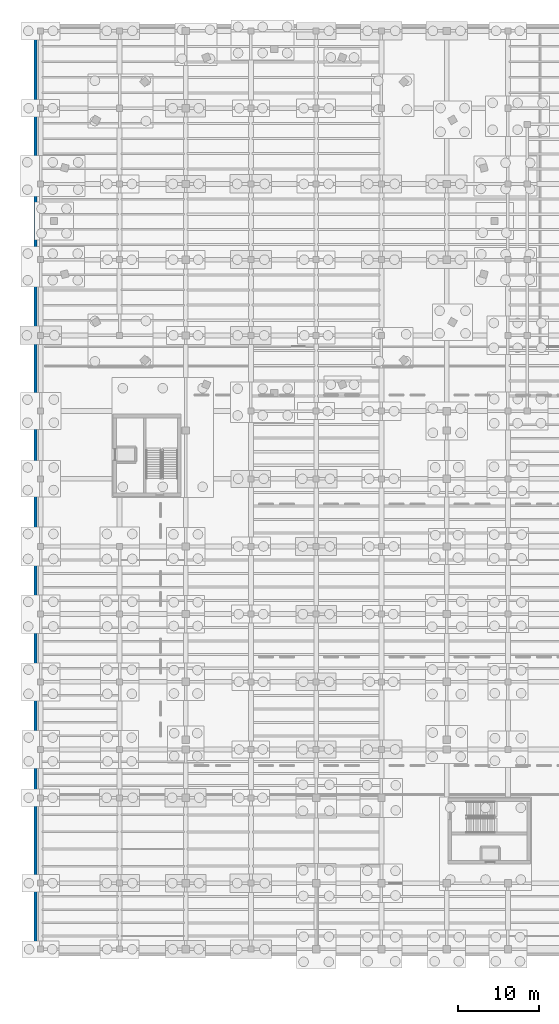
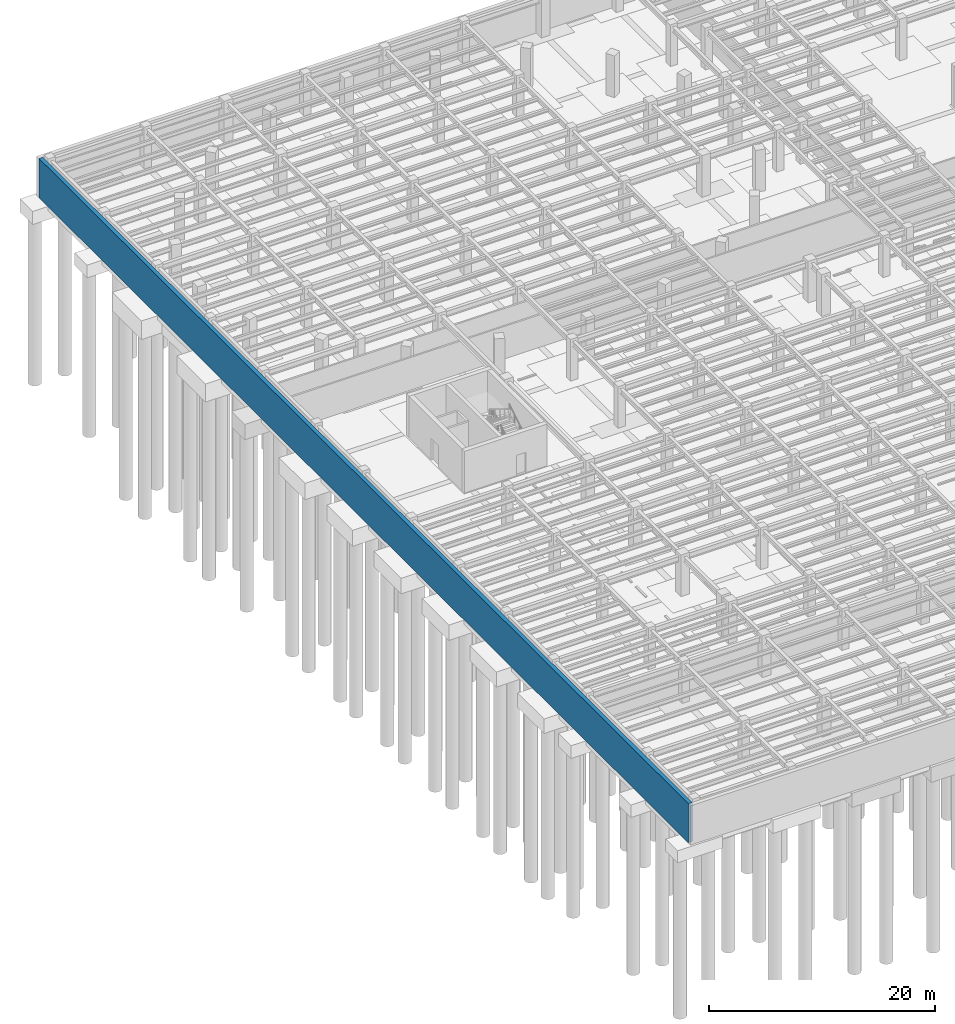
# One storey, part 30 of 49: 1 wall.
"""IFC4 building model written with IfcOpenShell, lengths in metres."""

import ifcopenshell
import ifcopenshell.guid

model = None  # the IFC model being written
_history = None  # IfcOwnerHistory: only IFC2X3 demands one
_inside = {}  # id of a spatial element -> (the spatial element, [elements in it])
_under = {}  # id of a project, library or spatial element -> (it, [spatial elements below it])
_declared = {}  # id of a project -> (the project, [libraries it declares])
_typed = {}  # id of a type object -> (the type object, [elements of that type])
_made_of = {}  # id of a material, layer set ... -> (it, [elements and type objects made of it])


def new_model(schema):
    """Start an empty IFC model of exactly this schema.

    Asked for "IFC4X3", IfcOpenShell would pick the latest addendum, in which some entities
    have other attributes; the version numbers below select the first issue.
    IFC2X3 requires an IfcOwnerHistory on every rooted entity: one is made here for all.
    """
    global model, _history
    if schema == "IFC4X3":
        model = ifcopenshell.file(schema_version=(4, 3, 0, 0))
    else:
        model = ifcopenshell.file(schema=schema)
    _inside.clear()
    _under.clear()
    _declared.clear()
    _typed.clear()
    _made_of.clear()
    _history = None
    if model.schema == "IFC2X3":
        org = make("IfcOrganization", Name="unknown")
        user = make(
            "IfcPersonAndOrganization",
            ThePerson=make("IfcPerson", FamilyName="unknown"),
            TheOrganization=org,
        )
        app = make(
            "IfcApplication",
            ApplicationDeveloper=org,
            Version="unknown",
            ApplicationFullName="unknown",
            ApplicationIdentifier="unknown",
        )
        _history = make(
            "IfcOwnerHistory",
            OwningUser=user,
            OwningApplication=app,
            ChangeAction="ADDED",
            CreationDate=0,
        )
    return model


def make(cls, **values):
    """One entity of the class cls with the attributes given. An attribute that is None is left unset."""
    return model.create_entity(
        cls, **{name: value for name, value in values.items() if value is not None}
    )


def rooted(cls, **values):
    """An entity with a GlobalId (a new one), such as an element, a storey or a relation."""
    return make(cls, GlobalId=ifcopenshell.guid.new(), OwnerHistory=_history, **values)


def si_unit(unit_type, name, prefix=None):
    """IfcSIUnit, for example si_unit("LENGTHUNIT", "METRE", prefix="MILLI")."""
    return make("IfcSIUnit", UnitType=unit_type, Prefix=prefix, Name=name)


def assignment(units):
    """IfcUnitAssignment: the units of a project."""
    return None if units is None else make("IfcUnitAssignment", Units=units)


def point(xyz):
    """IfcCartesianPoint."""
    return None if xyz is None else make("IfcCartesianPoint", Coordinates=xyz)


def direction(xyz):
    """IfcDirection."""
    return None if xyz is None else make("IfcDirection", DirectionRatios=xyz)


def frame(location, z_axis=None, x_axis=None):
    """IfcAxis2Placement3D, a coordinate frame: its origin and axes. An axis left out is left unset."""
    return make(
        "IfcAxis2Placement3D",
        Location=point(location),
        Axis=direction(z_axis),
        RefDirection=direction(x_axis),
    )


def frame_2d(location, x_axis=None):
    """IfcAxis2Placement2D, a coordinate frame in the plane: its origin and x axis."""
    return make(
        "IfcAxis2Placement2D", Location=point(location), RefDirection=direction(x_axis)
    )


def origin():
    """The frame at (0, 0, 0) with its axes left unset."""
    return frame((0.0, 0.0, 0.0))


def place(relative_to, where):
    """IfcLocalPlacement: puts the frame where relative to a parent placement (None: the world)."""
    return make(
        "IfcLocalPlacement", PlacementRelTo=relative_to, RelativePlacement=where
    )


def context(
    kind, dimensions, precision=None, world=None, true_north=None, identifier=None
):
    """IfcGeometricRepresentationContext, for example the 3D "Model" context."""
    return make(
        "IfcGeometricRepresentationContext",
        ContextIdentifier=identifier,
        ContextType=kind,
        CoordinateSpaceDimension=dimensions,
        Precision=precision,
        WorldCoordinateSystem=world,
        TrueNorth=true_north,
    )


def subcontext(parent, identifier, kind, view, scale=None):
    """IfcGeometricRepresentationSubContext, for example "Body" below "Model"."""
    return make(
        "IfcGeometricRepresentationSubContext",
        ContextIdentifier=identifier,
        ContextType=kind,
        ParentContext=parent,
        TargetScale=scale,
        TargetView=view,
    )


def project(units=None, contexts=None):
    """IfcProject with its units and contexts."""
    return rooted(
        "IfcProject",
        Name="project",
        RepresentationContexts=contexts,
        UnitsInContext=assignment(units),
    )


def spatial(cls, under=None, at=None, **own):
    """A site, building, storey or space (cls), placed at a placement, below another one or the project."""
    s = rooted(cls, ObjectPlacement=at, **own)
    if under is not None:
        _under.setdefault(under.id(), (under, []))[1].append(s)
    return s


def profile(cls, at=None, kind="AREA", **sizes):
    """A parametric profile (cls). Its sizes go by their IFC names, for example OverallWidth=200.0."""
    return make(cls, ProfileType=kind, Position=at, **sizes)


def rectangle(**sizes):
    """IfcRectangleProfileDef."""
    return profile("IfcRectangleProfileDef", **sizes)


def extrude(swept, where, along, depth):
    """IfcExtrudedAreaSolid: the profile swept, set in the frame where, extruded along a direction by depth."""
    return make(
        "IfcExtrudedAreaSolid",
        SweptArea=swept,
        Position=where,
        ExtrudedDirection=direction(along),
        Depth=depth,
    )


def shape(context_of_items, identifier, shape_type, items):
    """IfcShapeRepresentation: the items that make up one representation, for example the "Body"."""
    return make(
        "IfcShapeRepresentation",
        ContextOfItems=context_of_items,
        RepresentationIdentifier=identifier,
        RepresentationType=shape_type,
        Items=items,
    )


def material(Name=None, Category=None):
    """IfcMaterial."""
    return make("IfcMaterial", Name=Name, Category=Category)


def layer(
    of_material, thickness, ventilated=None, Name=None, Category=None, Priority=None
):
    """IfcMaterialLayer: one layer of a wall or slab, of a material (None: an air gap)."""
    return make(
        "IfcMaterialLayer",
        Material=of_material,
        LayerThickness=thickness,
        IsVentilated=ventilated,
        Name=Name,
        Category=Category,
        Priority=Priority,
    )


def layer_set(layers, Name=None):
    """IfcMaterialLayerSet."""
    return make("IfcMaterialLayerSet", MaterialLayers=layers, LayerSetName=Name)


def made_of(thing, what):
    """Note that an element or type object is made of a material, layer set ...; save() writes the relation."""
    if what is not None:
        _made_of.setdefault(what.id(), (what, []))[1].append(thing)
    return thing


def type_object(cls, material=None, **own):
    """A type object (cls), such as IfcWallType, which elements share."""
    return made_of(rooted(cls, **own), material)


def element(
    cls,
    number,
    at=None,
    inside=None,
    cuts=None,
    type_object=None,
    material=None,
    context=None,
    identifier="Body",
    shape_type=None,
    held_by="IfcProductDefinitionShape",
    body=None,
    shapes=None,
    **own,
):
    """One element of the class cls, such as IfcWall. Its Tag is "e" and its number.

    at: its placement. inside: the storey or other place that contains it. cuts: it is an
    opening in that element (IfcRelVoidsElement). A single representation is given by context,
    identifier, shape_type and body (its items); several are given by shapes. held_by: the class
    of the entity that holds the representations. save() writes the other relations.
    """
    e = rooted(cls, Tag="e%d" % number, ObjectPlacement=at, **own)
    if body is not None:
        shapes = [shape(context, identifier, shape_type, body)]
    if shapes is not None:
        e.Representation = make(held_by, Representations=shapes)
    if inside is not None:
        _inside.setdefault(inside.id(), (inside, []))[1].append(e)
    if cuts is not None:
        rooted(
            "IfcRelVoidsElement", RelatingBuildingElement=cuts, RelatedOpeningElement=e
        )
    if type_object is not None:
        _typed.setdefault(type_object.id(), (type_object, []))[1].append(e)
    return made_of(e, material)


def aggregate(whole, parts):
    """IfcRelAggregates: a whole, such as a stair, and the parts it consists of."""
    return rooted("IfcRelAggregates", RelatingObject=whole, RelatedObjects=parts)


def save(model, path):
    """Write the relations noted so far, then the file.

    IfcRelAggregates (storeys below a building ...), IfcRelContainedInSpatialStructure (elements
    in a storey), IfcRelDefinesByType, IfcRelAssociatesMaterial and IfcRelDeclares: one each for
    every whole, place, type object, material and project.
    """
    for whole, parts in _under.values():
        aggregate(whole, parts)
    for where, things in _inside.values():
        rooted(
            "IfcRelContainedInSpatialStructure",
            RelatedElements=things,
            RelatingStructure=where,
        )
    for kind, things in _typed.values():
        rooted("IfcRelDefinesByType", RelatedObjects=things, RelatingType=kind)
    for what, things in _made_of.values():
        rooted("IfcRelAssociatesMaterial", RelatedObjects=things, RelatingMaterial=what)
    for by, libraries in _declared.values():
        rooted("IfcRelDeclares", RelatingContext=by, RelatedDefinitions=libraries)
    model.write(path)


model = new_model("IFC4")

# Units and contexts
model_context = context("Model", 3, precision=1e-05, world=origin(), true_north=direction((0.0, 1.0)))
body_context = subcontext(model_context, "Body", "Model", "MODEL_VIEW")
ifc_project = project(units=[si_unit("LENGTHUNIT", "METRE"), si_unit("AREAUNIT", "SQUARE_METRE"), si_unit("VOLUMEUNIT", "CUBIC_METRE"), si_unit("PLANEANGLEUNIT", "RADIAN"), si_unit("MASSUNIT", "GRAM", prefix="KILO")], contexts=[model_context])

# Site, building, storey
site_placement = place(None, origin())
site = spatial("IfcSite", under=ifc_project, at=site_placement, CompositionType="ELEMENT")
building_placement = place(site_placement, origin())
building = spatial("IfcBuilding", under=site, at=building_placement, Name="Sollismere Congress Hotel", CompositionType="ELEMENT")
storey_placement = place(building_placement, frame((0.0, 0.0, -4.5)))
storey = spatial("IfcBuildingStorey", under=building, at=storey_placement, Name="B1", CompositionType="ELEMENT", Elevation=-4.5)

# Wall
ifc_material = material(Name="Concrete C40/50", Category="concrete")
ifc_layer = layer(ifc_material, 0.39990234375, Name="Concrete C40/50")
ifc_layer_set = layer_set([ifc_layer], Name="Concrete C40/50")
wall_type = type_object("IfcWallType", Name="WL-RET400", PredefinedType="USERDEFINED", material=ifc_layer_set)
wall_placement = place(storey_placement, frame((-0.64990234375, 114.449951171875, 0.0), z_axis=(0.0, 0.0, 1.0), x_axis=(0.0, -1.0, 0.0)))
element("IfcWall", 1, at=wall_placement, inside=storey, type_object=wall_type, Name="Exterior wall EW-B1-003", ObjectType="RETAINING WALL", PredefinedType="USERDEFINED", context=body_context, shape_type="SweptSolid", body=[
    extrude(rectangle(XDim=114.89990234375, YDim=0.39990234375, at=frame_2d((57.449951171875, 0.0))), origin(), (0.0, 0.0, 1.0), 4.235107421875),
])

save(model, "model.ifc")
